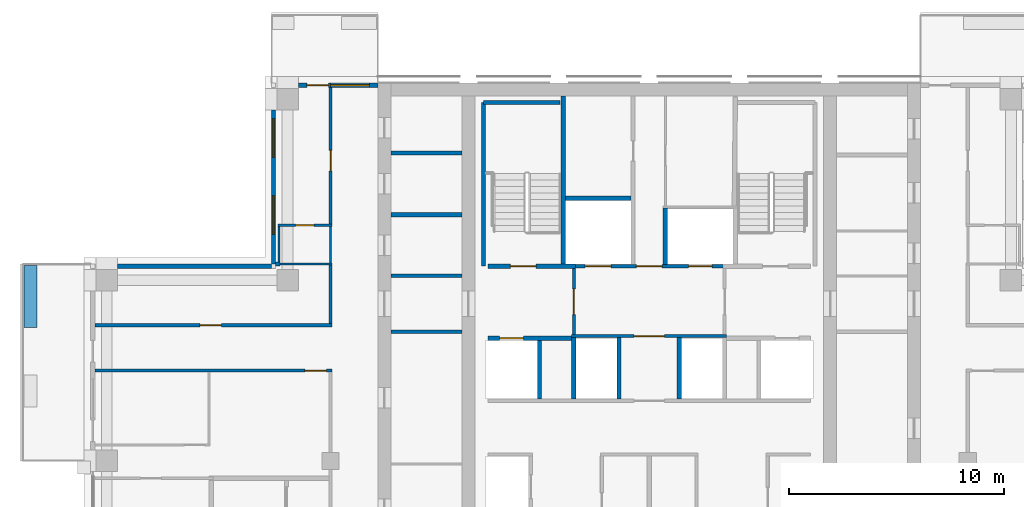
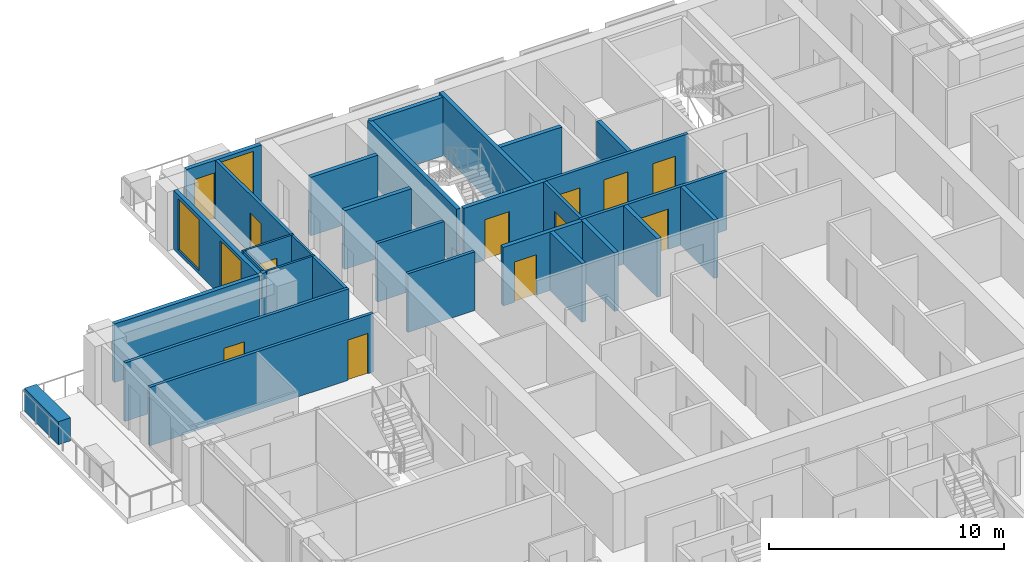
# One storey, part 10 of 15: 31 walls, 12 doors, 3 windows, 15 openings.
"""IFC4 building model written with IfcOpenShell, lengths in metres."""

from ifc_helpers import new_model, si_unit, direction, frame, frame_2d, origin, place, context, subcontext, project, spatial, rectangle, extrude, material, layer, layer_set, type_object, element, fill, save


model = new_model("IFC4")

# Units and contexts
model_context = context("Model", 3, precision=1e-05, world=origin(), true_north=direction((0.0, 1.0)))
body_context = subcontext(model_context, "Body", "Model", "MODEL_VIEW")
ifc_project = project(units=[si_unit("LENGTHUNIT", "METRE"), si_unit("AREAUNIT", "SQUARE_METRE"), si_unit("VOLUMEUNIT", "CUBIC_METRE"), si_unit("PLANEANGLEUNIT", "RADIAN"), si_unit("MASSUNIT", "GRAM", prefix="KILO")], contexts=[model_context])

# Site, building, storey
site_placement = place(None, origin())
site = spatial("IfcSite", under=ifc_project, at=site_placement, CompositionType="ELEMENT")
building_placement = place(site_placement, origin())
building = spatial("IfcBuilding", under=site, at=building_placement, Name="Vermilion Ogive Tower", CompositionType="ELEMENT")
storey_placement = place(building_placement, frame((0.0, 0.0, 210.050048828125)))
storey = spatial("IfcBuildingStorey", under=building, at=storey_placement, Name="L55", CompositionType="ELEMENT", Elevation=210.050048828125)

# Wall
ifc_material_1 = material(Name="Gypsum board partition on steel studs", Category="steel")
ifc_layer_1 = layer(ifc_material_1, 0.10009765625)
ifc_layer_set_1 = layer_set([ifc_layer_1], Name="Partition 100 bath")
wall_type_1 = type_object("IfcWallType", Name="Partition 100 bath", PredefinedType="PARTITIONING", material=ifc_layer_set_1)
wall_1_placement = place(storey_placement, frame((-17.25, 13.35009765625, 0.0), z_axis=(0.0, 0.0, 1.0), x_axis=(1.0, 0.0, 0.0)))
element("IfcWall", 1, at=wall_1_placement, inside=storey, type_object=wall_type_1, Name="L55-W-W034", PredefinedType="PARTITIONING", context=body_context, shape_type="SweptSolid", body=[
    extrude(rectangle(XDim=2.52490234375, YDim=0.10009765625, at=frame_2d((1.262451171875, 0.0))), origin(), (0.0, 0.0, 1.0), 3.050048828125),
])

# Wall, opening, door
wall_2_placement = place(storey_placement, frame((-17.25, 15.14990234375, 0.0), z_axis=(0.0, 0.0, 1.0), x_axis=(1.0, 0.0, 0.0)))
wall_2 = element("IfcWall", 2, at=wall_2_placement, inside=storey, type_object=wall_type_1, Name="L55-W-W037", PredefinedType="PARTITIONING", context=body_context, shape_type="SweptSolid", body=[
    extrude(rectangle(XDim=2.52490234375, YDim=0.10009765625, at=frame_2d((1.262451171875, 0.0))), origin(), (0.0, 0.0, 1.0), 3.050048828125),
])
opening_1_placement = place(wall_2_placement, frame((0.824951171875, 0.0, 0.0)))
opening_1 = element("IfcOpeningElement", 3, at=opening_1_placement, cuts=wall_2, Name="Opening D4G5008", PredefinedType="OPENING", context=body_context, shape_type="SweptSolid", body=[
    extrude(rectangle(XDim=0.85009765625, YDim=2.10009765625, at=frame_2d((0.425048828125, 1.050048828125))), frame((0.0, 0.06005859375, 0.0), z_axis=(0.0, -1.0, 0.0), x_axis=(1.0, 0.0, 0.0)), (0.0, 0.0, 1.0), 0.1201171875),
])
ifc_material_2 = material(Name="Timber door leaf", Category="wood")
door_type_1 = type_object("IfcDoorType", Name="Bath door 850 x 2100 FD30", OperationType="SINGLE_SWING_LEFT", PredefinedType="DOOR", material=ifc_material_2)
door_1_placement = place(opening_1_placement, origin())
door_1 = element("IfcDoor", 4, at=door_1_placement, inside=storey, type_object=door_type_1, Name="L55-D-D008", OperationType="SINGLE_SWING_RIGHT", OverallHeight=2.10009765625, OverallWidth=0.85009765625, PredefinedType="DOOR", context=body_context, shape_type="SweptSolid", body=[
    extrude(rectangle(XDim=0.85009765625, YDim=2.10009765625, at=frame_2d((0.425048828125, 1.050048828125))), frame((0.0, 0.02490234375, 0.0), z_axis=(0.0, -1.0, 0.0), x_axis=(1.0, 0.0, 0.0)), (0.0, 0.0, 1.0), 0.050048828125),
])
fill(opening_1, door_1)

# Walls
wall_3_placement = place(storey_placement, frame((-17.199951171875, 13.449951171875, 0.0), z_axis=(0.0, 0.0, 1.0), x_axis=(0.0, 1.0, 0.0)))
element("IfcWall", 5, at=wall_3_placement, inside=storey, type_object=wall_type_1, Name="L55-W-W043", PredefinedType="PARTITIONING", context=body_context, shape_type="SweptSolid", body=[
    extrude(rectangle(XDim=1.650146484375, YDim=0.10009765625, at=frame_2d((0.8251953125, 0.0))), origin(), (0.0, 0.0, 1.0), 3.050048828125),
])
wall_4_placement = place(storey_placement, frame((-14.800048828125, 13.39990234375, 0.0), z_axis=(0.0, 0.0, 1.0), x_axis=(0.0, 1.0, 0.0)))
element("IfcWall", 6, at=wall_4_placement, inside=storey, type_object=wall_type_1, Name="L55-W-W048", PredefinedType="PARTITIONING", context=body_context, shape_type="SweptSolid", body=[
    extrude(rectangle(XDim=1.7001953125, YDim=0.10009765625, at=frame_2d((0.85009765625, 0.0))), origin(), (0.0, 0.0, 1.0), 3.050048828125),
])

# Wall, opening, door
ifc_material_3 = material(Name="Gypsum board partition on steel studs", Category="steel")
ifc_layer_2 = layer(ifc_material_3, 0.14990234375)
ifc_layer_set_2 = layer_set([ifc_layer_2], Name="Partition 150 corridor")
wall_type_2 = type_object("IfcWallType", Name="Partition 150 corridor", PredefinedType="PARTITIONING", material=ifc_layer_set_2)
wall_5_placement = place(storey_placement, frame((-25.75, 8.39990234375, 0.0), z_axis=(0.0, 0.0, 1.0), x_axis=(1.0, 0.0, 0.0)))
wall_5 = element("IfcWall", 7, at=wall_5_placement, inside=storey, type_object=wall_type_2, Name="L55-W-W029", PredefinedType="PARTITIONING", context=body_context, shape_type="SweptSolid", body=[
    extrude(rectangle(XDim=11.02490234375, YDim=0.14990234375, at=frame_2d((5.512451171875, 0.0))), origin(), (0.0, 0.0, 1.0), 3.050048828125),
])
opening_2_placement = place(wall_5_placement, frame((9.75, 0.0, 0.0)))
opening_2 = element("IfcOpeningElement", 8, at=opening_2_placement, cuts=wall_5, Name="Opening D4G5004", PredefinedType="OPENING", context=body_context, shape_type="SweptSolid", body=[
    extrude(rectangle(XDim=1.0, YDim=2.10009765625, at=frame_2d((0.5, 1.050048828125))), frame((0.0, 0.0849609375, 0.0), z_axis=(0.0, -1.0, 0.0), x_axis=(1.0, 0.0, 0.0)), (0.0, 0.0, 1.0), 0.169921875),
])
ifc_material_4 = material(Name="Timber door leaf", Category="wood")
door_type_2 = type_object("IfcDoorType", Name="Unit door 1000 x 2100 FD30S", OperationType="SINGLE_SWING_LEFT", PredefinedType="DOOR", material=ifc_material_4)
door_2_placement = place(opening_2_placement, origin())
door_2 = element("IfcDoor", 9, at=door_2_placement, inside=storey, type_object=door_type_2, Name="L55-D-D004", OperationType="SINGLE_SWING_RIGHT", OverallHeight=2.10009765625, OverallWidth=1.0, PredefinedType="DOOR", context=body_context, shape_type="SweptSolid", body=[
    extrude(rectangle(XDim=1.0, YDim=2.10009765625, at=frame_2d((0.5, 1.050048828125))), frame((0.0, 0.02490234375, 0.0), z_axis=(0.0, -1.0, 0.0), x_axis=(1.0, 0.0, 0.0)), (0.0, 0.0, 1.0), 0.050048828125),
])
fill(opening_2, door_2)

wall_6_placement = place(storey_placement, frame((-25.75, 10.5, 0.0), z_axis=(0.0, 0.0, 1.0), x_axis=(1.0, 0.0, 0.0)))
wall_6 = element("IfcWall", 10, at=wall_6_placement, inside=storey, type_object=wall_type_2, Name="L55-W-W031", PredefinedType="PARTITIONING", context=body_context, shape_type="SweptSolid", body=[
    extrude(rectangle(XDim=11.02490234375, YDim=0.14990234375, at=frame_2d((5.512451171875, 0.0))), origin(), (0.0, 0.0, 1.0), 3.050048828125),
])
opening_3_placement = place(wall_6_placement, frame((4.875, 0.0, 0.0)))
opening_3 = element("IfcOpeningElement", 11, at=opening_3_placement, cuts=wall_6, Name="Opening D4G5034", PredefinedType="OPENING", context=body_context, shape_type="SweptSolid", body=[
    extrude(rectangle(XDim=1.0, YDim=2.10009765625, at=frame_2d((0.5, 1.050048828125))), frame((0.0, 0.0849609375, 0.0), z_axis=(0.0, -1.0, 0.0), x_axis=(1.0, 0.0, 0.0)), (0.0, 0.0, 1.0), 0.169921875),
])
door_3_placement = place(opening_3_placement, origin())
door_3 = element("IfcDoor", 12, at=door_3_placement, inside=storey, type_object=door_type_2, Name="L55-D-D034", OperationType="SINGLE_SWING_RIGHT", OverallHeight=2.10009765625, OverallWidth=1.0, PredefinedType="DOOR", context=body_context, shape_type="SweptSolid", body=[
    extrude(rectangle(XDim=1.0, YDim=2.10009765625, at=frame_2d((0.5, 1.050048828125))), frame((0.0, 0.02490234375, 0.0), z_axis=(0.0, -1.0, 0.0), x_axis=(1.0, 0.0, 0.0)), (0.0, 0.0, 1.0), 0.050048828125),
])
fill(opening_3, door_3)

# Wall
wall_7_placement = place(storey_placement, frame((-14.800048828125, 10.574951171875, 0.0), z_axis=(0.0, 0.0, 1.0), x_axis=(0.0, 1.0, 0.0)))
element("IfcWall", 13, at=wall_7_placement, inside=storey, type_object=wall_type_2, Name="L55-W-W047", PredefinedType="PARTITIONING", context=body_context, shape_type="SweptSolid", body=[
    extrude(rectangle(XDim=2.72509765625, YDim=0.14990234375, at=frame_2d((1.362548828125, 0.0))), origin(), (0.0, 0.0, 1.0), 3.050048828125),
])

# Wall, opening, door
wall_8_placement = place(storey_placement, frame((-14.800048828125, 15.199951171875, 0.0), z_axis=(0.0, 0.0, 1.0), x_axis=(0.0, 1.0, 0.0)))
wall_8 = element("IfcWall", 14, at=wall_8_placement, inside=storey, type_object=wall_type_2, Name="L55-W-W049", PredefinedType="PARTITIONING", context=body_context, shape_type="SweptSolid", body=[
    extrude(rectangle(XDim=6.35009765625, YDim=0.14990234375, at=frame_2d((3.175048828125, 0.0))), origin(), (0.0, 0.0, 1.0), 3.050048828125),
])
opening_4_placement = place(wall_8_placement, frame((2.47509765625, 0.0, 0.0)))
opening_4 = element("IfcOpeningElement", 15, at=opening_4_placement, cuts=wall_8, Name="Opening D4G5007", PredefinedType="OPENING", context=body_context, shape_type="SweptSolid", body=[
    extrude(rectangle(XDim=0.949951171875, YDim=2.10009765625, at=frame_2d((0.47509765625, 1.050048828125))), frame((0.0, 0.0849609375, 0.0), z_axis=(0.0, -1.0, 0.0), x_axis=(1.0, 0.0, 0.0)), (0.0, 0.0, 1.0), 0.169921875),
])
ifc_material_5 = material(Name="Timber door leaf", Category="wood")
door_type_3 = type_object("IfcDoorType", Name="Unit door 950 x 2100 FD30S", OperationType="SINGLE_SWING_LEFT", PredefinedType="DOOR", material=ifc_material_5)
door_4_placement = place(opening_4_placement, origin())
door_4 = element("IfcDoor", 16, at=door_4_placement, inside=storey, type_object=door_type_3, Name="L55-D-D007", OperationType="SINGLE_SWING_RIGHT", OverallHeight=2.10009765625, OverallWidth=0.949951171875, PredefinedType="DOOR", context=body_context, shape_type="SweptSolid", body=[
    extrude(rectangle(XDim=0.949951171875, YDim=2.10009765625, at=frame_2d((0.47509765625, 1.050048828125))), frame((0.0, 0.02490234375, 0.0), z_axis=(0.0, -1.0, 0.0), x_axis=(1.0, 0.0, 0.0)), (0.0, 0.0, 1.0), 0.050048828125),
])
fill(opening_4, door_4)

wall_9_placement = place(storey_placement, frame((-3.60009765625, 10.0, 0.0), z_axis=(0.0, 0.0, 1.0), x_axis=(1.0, 0.0, 0.0)))
wall_9 = element("IfcWall", 17, at=wall_9_placement, inside=storey, type_object=wall_type_2, Name="L55-CK-W-W014", PredefinedType="PARTITIONING", context=body_context, shape_type="SweptSolid", body=[
    extrude(rectangle(XDim=7.2001953125, YDim=0.14990234375, at=frame_2d((3.60009765625, 0.0))), origin(), (0.0, 0.0, 1.0), 3.050048828125),
])
opening_5_placement = place(wall_9_placement, frame((2.900146484375, 0.0, 0.0)))
opening_5 = element("IfcOpeningElement", 18, at=opening_5_placement, cuts=wall_9, Name="Opening DAA493", PredefinedType="OPENING", context=body_context, shape_type="SweptSolid", body=[
    extrude(rectangle(XDim=1.39990234375, YDim=2.10009765625, at=frame_2d((0.699951171875, 1.050048828125))), frame((0.0, 0.0849609375, 0.0), z_axis=(0.0, -1.0, 0.0), x_axis=(1.0, 0.0, 0.0)), (0.0, 0.0, 1.0), 0.169921875),
])
ifc_material_6 = material(Name="Timber door leaf", Category="wood")
door_type_4 = type_object("IfcDoorType", Name="Lobby door 1400 x 2100 FD60S", OperationType="SINGLE_SWING_LEFT", PredefinedType="DOOR", material=ifc_material_6)
door_5_placement = place(opening_5_placement, origin())
door_5 = element("IfcDoor", 19, at=door_5_placement, inside=storey, type_object=door_type_4, Name="L55-CK-D-D017", OperationType="SINGLE_SWING_RIGHT", OverallHeight=2.10009765625, OverallWidth=1.39990234375, PredefinedType="DOOR", context=body_context, shape_type="SweptSolid", body=[
    extrude(rectangle(XDim=1.39990234375, YDim=2.10009765625, at=frame_2d((0.699951171875, 1.050048828125))), frame((0.0, 0.02490234375, 0.0), z_axis=(0.0, -1.0, 0.0), x_axis=(1.0, 0.0, 0.0)), (0.0, 0.0, 1.0), 0.050048828125),
])
fill(opening_5, door_5)

# Wall, openings, doors
wall_10_placement = place(storey_placement, frame((-3.574951171875, 13.25, 0.0), z_axis=(0.0, 0.0, 1.0), x_axis=(1.0, 0.0, 0.0)))
wall_10 = element("IfcWall", 20, at=wall_10_placement, inside=storey, type_object=wall_type_2, Name="L55-CK-W-W016", PredefinedType="PARTITIONING", context=body_context, shape_type="SweptSolid", body=[
    extrude(rectangle(XDim=7.14990234375, YDim=0.14990234375, at=frame_2d((3.574951171875, 0.0))), origin(), (0.0, 0.0, 1.0), 3.050048828125),
])
opening_6_placement = place(wall_10_placement, frame((0.599853515625, 0.0, 0.0)))
opening_6 = element("IfcOpeningElement", 21, at=opening_6_placement, cuts=wall_10, Name="Opening DAA513", PredefinedType="OPENING", context=body_context, shape_type="SweptSolid", body=[
    extrude(rectangle(XDim=1.199951171875, YDim=2.10009765625, at=frame_2d((0.60009765625, 1.050048828125))), frame((0.0, 0.0849609375, 0.0), z_axis=(0.0, -1.0, 0.0), x_axis=(1.0, 0.0, 0.0)), (0.0, 0.0, 1.0), 0.169921875),
])
opening_7_placement = place(wall_10_placement, frame((5.39990234375, 0.0, 0.0)))
opening_7 = element("IfcOpeningElement", 22, at=opening_7_placement, cuts=wall_10, Name="Opening DAA512", PredefinedType="OPENING", context=body_context, shape_type="SweptSolid", body=[
    extrude(rectangle(XDim=1.10009765625, YDim=2.10009765625, at=frame_2d((0.550048828125, 1.050048828125))), frame((0.0, 0.0849609375, 0.0), z_axis=(0.0, -1.0, 0.0), x_axis=(1.0, 0.0, 0.0)), (0.0, 0.0, 1.0), 0.169921875),
])
opening_8_placement = place(wall_10_placement, frame((2.974853515625, 0.0, 0.0)))
opening_8 = element("IfcOpeningElement", 23, at=opening_8_placement, cuts=wall_10, Name="Opening DAA494", PredefinedType="OPENING", context=body_context, shape_type="SweptSolid", body=[
    extrude(rectangle(XDim=1.199951171875, YDim=2.10009765625, at=frame_2d((0.60009765625, 1.050048828125))), frame((0.0, 0.0849609375, 0.0), z_axis=(0.0, -1.0, 0.0), x_axis=(1.0, 0.0, 0.0)), (0.0, 0.0, 1.0), 0.169921875),
])
ifc_material_7 = material(Name="Stainless steel", Category="steel")
door_type_5 = type_object("IfcDoorType", Name="Lift landing door 1100 x 2100", OperationType="SLIDING_TO_LEFT", PredefinedType="DOOR", material=ifc_material_7)
door_6_placement = place(opening_7_placement, origin())
door_6 = element("IfcDoor", 24, at=door_6_placement, inside=storey, type_object=door_type_5, Name="L55-CK-D-D019", OperationType="SLIDING_TO_LEFT", OverallHeight=2.10009765625, OverallWidth=1.10009765625, PredefinedType="DOOR", context=body_context, shape_type="SweptSolid", body=[
    extrude(rectangle(XDim=1.10009765625, YDim=2.10009765625, at=frame_2d((0.550048828125, 1.050048828125))), frame((0.0, 0.02490234375, 0.0), z_axis=(0.0, -1.0, 0.0), x_axis=(1.0, 0.0, 0.0)), (0.0, 0.0, 1.0), 0.050048828125),
])
fill(opening_7, door_6)
ifc_material_8 = material(Name="Stainless steel", Category="steel")
door_type_6 = type_object("IfcDoorType", Name="Lift landing door 1200 x 2100", OperationType="SLIDING_TO_LEFT", PredefinedType="DOOR", material=ifc_material_8)
door_7_placement = place(opening_6_placement, origin())
door_7 = element("IfcDoor", 25, at=door_7_placement, inside=storey, type_object=door_type_6, Name="L55-CK-D-D018", OperationType="SLIDING_TO_RIGHT", OverallHeight=2.10009765625, OverallWidth=1.199951171875, PredefinedType="DOOR", context=body_context, shape_type="SweptSolid", body=[
    extrude(rectangle(XDim=1.199951171875, YDim=2.10009765625, at=frame_2d((0.60009765625, 1.050048828125))), frame((0.0, 0.02490234375, 0.0), z_axis=(0.0, -1.0, 0.0), x_axis=(1.0, 0.0, 0.0)), (0.0, 0.0, 1.0), 0.050048828125),
])
fill(opening_6, door_7)
ifc_material_9 = material(Name="Timber door leaf", Category="wood")
door_type_7 = type_object("IfcDoorType", Name="Service door 1200 x 2100 FD60", OperationType="SINGLE_SWING_LEFT", PredefinedType="DOOR", material=ifc_material_9)
door_8_placement = place(opening_8_placement, origin())
door_8 = element("IfcDoor", 26, at=door_8_placement, inside=storey, type_object=door_type_7, Name="L55-CK-D-D020", OperationType="SINGLE_SWING_RIGHT", OverallHeight=2.10009765625, OverallWidth=1.199951171875, PredefinedType="DOOR", context=body_context, shape_type="SweptSolid", body=[
    extrude(rectangle(XDim=1.199951171875, YDim=2.10009765625, at=frame_2d((0.60009765625, 1.050048828125))), frame((0.0, 0.02490234375, 0.0), z_axis=(0.0, -1.0, 0.0), x_axis=(1.0, 0.0, 0.0)), (0.0, 0.0, 1.0), 0.050048828125),
])
fill(opening_8, door_8)

# Wall, opening, door
wall_11_placement = place(storey_placement, frame((-3.5, 10.074951171875, 0.0), z_axis=(0.0, 0.0, 1.0), x_axis=(0.0, 1.0, 0.0)))
wall_11 = element("IfcWall", 27, at=wall_11_placement, inside=storey, type_object=wall_type_2, Name="L55-CK-W-W024", PredefinedType="PARTITIONING", context=body_context, shape_type="SweptSolid", body=[
    extrude(rectangle(XDim=3.074951171875, YDim=0.14990234375, at=frame_2d((1.53759765625, 0.0))), origin(), (0.0, 0.0, 1.0), 3.050048828125),
])
opening_9_placement = place(wall_11_placement, frame((0.925048828125, 0.0, 0.0)))
opening_9 = element("IfcOpeningElement", 28, at=opening_9_placement, cuts=wall_11, Name="Opening DAA490", PredefinedType="OPENING", context=body_context, shape_type="SweptSolid", body=[
    extrude(rectangle(XDim=1.199951171875, YDim=2.10009765625, at=frame_2d((0.60009765625, 1.050048828125))), frame((0.0, 0.0849609375, 0.0), z_axis=(0.0, -1.0, 0.0), x_axis=(1.0, 0.0, 0.0)), (0.0, 0.0, 1.0), 0.169921875),
])
ifc_material_10 = material(Name="Timber door leaf", Category="wood")
door_type_8 = type_object("IfcDoorType", Name="Lobby door 1200 x 2100 FD60S", OperationType="SINGLE_SWING_LEFT", PredefinedType="DOOR", material=ifc_material_10)
door_9_placement = place(opening_9_placement, origin())
door_9 = element("IfcDoor", 29, at=door_9_placement, inside=storey, type_object=door_type_8, Name="L55-CK-D-D023", OperationType="SINGLE_SWING_RIGHT", OverallHeight=2.10009765625, OverallWidth=1.199951171875, PredefinedType="DOOR", context=body_context, shape_type="SweptSolid", body=[
    extrude(rectangle(XDim=1.199951171875, YDim=2.10009765625, at=frame_2d((0.60009765625, 1.050048828125))), frame((0.0, 0.02490234375, 0.0), z_axis=(0.0, -1.0, 0.0), x_axis=(1.0, 0.0, 0.0)), (0.0, 0.0, 1.0), 0.050048828125),
])
fill(opening_9, door_9)

# Walls
for number, where, z_axis, x_axis, name in (
    (30, (-11.9990234375, 10.199951171875, 0.0), (0.0, 0.0, 1.0), (1.0, 0.0, 0.0), "L55-CKW-W-W003"),
    (31, (-11.9990234375, 12.800048828125, 0.0), (0.0, 0.0, 1.0), (1.0, 0.0, 0.0), "L55-CKW-W-W004"),
):
    element("IfcWall", number, at=place(storey_placement, frame(where, z_axis=z_axis, x_axis=x_axis)), inside=storey, type_object=wall_type_2, Name=name, PredefinedType="PARTITIONING", context=body_context, shape_type="SweptSolid", body=[
        extrude(rectangle(XDim=3.298095703125, YDim=0.14990234375, at=frame_2d((1.64892578125, 0.0))), origin(), (0.0, 0.0, 1.0), 3.050048828125),
    ])
ifc_material_11 = material(Name="Gypsum board partition on steel studs", Category="steel")
ifc_layer_3 = layer(ifc_material_11, 0.199951171875)
ifc_layer_set_3 = layer_set([ifc_layer_3], Name="Partition 200 party")
wall_type_3 = type_object("IfcWallType", Name="Partition 200 party", PredefinedType="PARTITIONING", material=ifc_layer_set_3)
wall_12_placement = place(storey_placement, frame((-17.35009765625, 13.35009765625, 0.0), z_axis=(0.0, 0.0, 1.0), x_axis=(1.0, 0.0, 0.0)))
element("IfcWall", 32, at=wall_12_placement, inside=storey, type_object=wall_type_3, Name="L55-W-W033", PredefinedType="PARTITIONING", context=body_context, shape_type="SweptSolid", body=[
    extrude(rectangle(XDim=0.2001953125, YDim=0.199951171875, at=frame_2d((0.10009765625, 0.0))), origin(), (0.0, 0.0, 1.0), 3.050048828125),
])

# Wall, opening, door
wall_13_placement = place(storey_placement, frame((-7.5, 9.89990234375, 0.0), z_axis=(0.0, 0.0, 1.0), x_axis=(1.0, 0.0, 0.0)))
wall_13 = element("IfcWall", 33, at=wall_13_placement, inside=storey, type_object=wall_type_3, Name="L55-CK-W-W012", PredefinedType="PARTITIONING", context=body_context, shape_type="SweptSolid", body=[
    extrude(rectangle(XDim=3.89990234375, YDim=0.199951171875, at=frame_2d((1.949951171875, 0.0))), origin(), (0.0, 0.0, 1.0), 3.050048828125),
])
opening_10_placement = place(wall_13_placement, frame((0.550048828125, 0.0, 0.0)))
opening_10 = element("IfcOpeningElement", 34, at=opening_10_placement, cuts=wall_13, Name="Opening DAA510", PredefinedType="OPENING", context=body_context, shape_type="SweptSolid", body=[
    extrude(rectangle(XDim=1.10009765625, YDim=2.10009765625, at=frame_2d((0.550048828125, 1.050048828125))), frame((0.0, 0.10986328125, 0.0), z_axis=(0.0, -1.0, 0.0), x_axis=(1.0, 0.0, 0.0)), (0.0, 0.0, 1.0), 0.219970703125),
])
door_10_placement = place(opening_10_placement, origin())
door_10 = element("IfcDoor", 35, at=door_10_placement, inside=storey, type_object=door_type_5, Name="L55-CK-D-D013", OperationType="SLIDING_TO_RIGHT", OverallHeight=2.10009765625, OverallWidth=1.10009765625, PredefinedType="DOOR", context=body_context, shape_type="SweptSolid", body=[
    extrude(rectangle(XDim=1.10009765625, YDim=2.10009765625, at=frame_2d((0.550048828125, 1.050048828125))), frame((0.0, 0.02490234375, 0.0), z_axis=(0.0, -1.0, 0.0), x_axis=(1.0, 0.0, 0.0)), (0.0, 0.0, 1.0), 0.050048828125),
])
fill(opening_10, door_10)

# Walls
wall_14_placement = place(storey_placement, frame((-3.89990234375, 16.39990234375, 0.0), z_axis=(0.0, 0.0, 1.0), x_axis=(1.0, 0.0, 0.0)))
element("IfcWall", 36, at=wall_14_placement, inside=storey, type_object=wall_type_3, Name="L55-CK-W-W019", PredefinedType="PARTITIONING", context=body_context, shape_type="SweptSolid", body=[
    extrude(rectangle(XDim=3.0498046875, YDim=0.199951171875, at=frame_2d((1.52490234375, 0.0))), origin(), (0.0, 0.0, 1.0), 3.050048828125),
])
wall_15_placement = place(storey_placement, frame((-5.10009765625, 7.074951171875, 0.0), z_axis=(0.0, 0.0, 1.0), x_axis=(0.0, 1.0, 0.0)))
element("IfcWall", 37, at=wall_15_placement, inside=storey, type_object=wall_type_3, Name="L55-CK-W-W021", PredefinedType="PARTITIONING", context=body_context, shape_type="SweptSolid", body=[
    extrude(rectangle(XDim=2.72509765625, YDim=0.199951171875, at=frame_2d((1.362548828125, 0.0))), origin(), (0.0, 0.0, 1.0), 3.050048828125),
])
for number, where, z_axis, x_axis, name in (
    (38, (-3.5, 7.074951171875, 0.0), (0.0, 0.0, 1.0), (0.0, 1.0, 0.0), "L55-CK-W-W023"),
    (39, (-1.39990234375, 7.074951171875, 0.0), (0.0, 0.0, 1.0), (0.0, 1.0, 0.0), "L55-CK-W-W026"),
):
    element("IfcWall", number, at=place(storey_placement, frame(where, z_axis=z_axis, x_axis=x_axis)), inside=storey, type_object=wall_type_3, Name=name, PredefinedType="PARTITIONING", context=body_context, shape_type="SweptSolid", body=[
        extrude(rectangle(XDim=2.85009765625, YDim=0.199951171875, at=frame_2d((1.425048828125, 0.0))), origin(), (0.0, 0.0, 1.0), 3.050048828125),
    ])
wall_16_placement = place(storey_placement, frame((0.75, 13.324951171875, 0.0), z_axis=(0.0, 0.0, 1.0), x_axis=(0.0, 1.0, 0.0)))
element("IfcWall", 40, at=wall_16_placement, inside=storey, type_object=wall_type_3, Name="L55-CK-W-W029", PredefinedType="PARTITIONING", context=body_context, shape_type="SweptSolid", body=[
    extrude(rectangle(XDim=2.625, YDim=0.199951171875, at=frame_2d((1.3125, 0.0))), origin(), (0.0, 0.0, 1.0), 3.050048828125),
])
wall_17_placement = place(storey_placement, frame((1.39990234375, 7.074951171875, 0.0), z_axis=(0.0, 0.0, 1.0), x_axis=(0.0, 1.0, 0.0)))
element("IfcWall", 41, at=wall_17_placement, inside=storey, type_object=wall_type_3, Name="L55-CK-W-W031", PredefinedType="PARTITIONING", context=body_context, shape_type="SweptSolid", body=[
    extrude(rectangle(XDim=2.85009765625, YDim=0.199951171875, at=frame_2d((1.425048828125, 0.0))), origin(), (0.0, 0.0, 1.0), 3.050048828125),
])
for number, where, z_axis, x_axis, name in (
    (42, (-11.9990234375, 15.636962890625, 0.0), (0.0, 0.0, 1.0), (1.0, 0.0, 0.0), "L55-CKW-W-W005"),
    (43, (-11.9990234375, 18.509033203125, 0.0), (0.0, 0.0, 1.0), (1.0, 0.0, 0.0), "L55-CKW-W-W006"),
):
    element("IfcWall", number, at=place(storey_placement, frame(where, z_axis=z_axis, x_axis=x_axis)), inside=storey, type_object=wall_type_3, Name=name, PredefinedType="PARTITIONING", context=body_context, shape_type="SweptSolid", body=[
        extrude(rectangle(XDim=3.298095703125, YDim=0.199951171875, at=frame_2d((1.64892578125, 0.0))), origin(), (0.0, 0.0, 1.0), 3.050048828125),
    ])

# Wall, opening, door
ifc_material_12 = material(Name="Concrete B60", Category="concrete")
ifc_layer_4 = layer(ifc_material_12, 0.199951171875)
ifc_layer_set_4 = layer_set([ifc_layer_4], Name="Stair shaft wall 200 Concrete B60")
wall_type_4 = type_object("IfcWallType", Name="Stair shaft wall 200 Concrete B60", PredefinedType="SOLIDWALL", material=ifc_layer_set_4)
wall_18_placement = place(storey_placement, frame((-7.5, 13.25, 0.0), z_axis=(0.0, 0.0, 1.0), x_axis=(1.0, 0.0, 0.0)))
wall_18 = element("IfcWall", 44, at=wall_18_placement, inside=storey, type_object=wall_type_4, Name="L55-CK-W-W015", PredefinedType="SOLIDWALL", context=body_context, shape_type="SweptSolid", body=[
    extrude(rectangle(XDim=4.074951171875, YDim=0.199951171875, at=frame_2d((2.03759765625, 0.0))), origin(), (0.0, 0.0, 1.0), 3.050048828125),
])
opening_11_placement = place(wall_18_placement, frame((1.050048828125, 0.0, 0.0)))
opening_11 = element("IfcOpeningElement", 45, at=opening_11_placement, cuts=wall_18, Name="Opening DAA503", PredefinedType="OPENING", context=body_context, shape_type="SweptSolid", body=[
    extrude(rectangle(XDim=1.199951171875, YDim=2.10009765625, at=frame_2d((0.60009765625, 1.050048828125))), frame((0.0, 0.10986328125, 0.0), z_axis=(0.0, -1.0, 0.0), x_axis=(1.0, 0.0, 0.0)), (0.0, 0.0, 1.0), 0.219970703125),
])
ifc_material_13 = material(Name="Timber door leaf", Category="wood")
door_type_9 = type_object("IfcDoorType", Name="Stair door 1200 x 2100 FD60S", OperationType="SINGLE_SWING_LEFT", PredefinedType="DOOR", material=ifc_material_13)
door_11_placement = place(opening_11_placement, origin())
door_11 = element("IfcDoor", 46, at=door_11_placement, inside=storey, type_object=door_type_9, Name="L55-CK-D-D012", OperationType="SINGLE_SWING_LEFT", OverallHeight=2.10009765625, OverallWidth=1.199951171875, PredefinedType="DOOR", context=body_context, shape_type="SweptSolid", body=[
    extrude(rectangle(XDim=1.199951171875, YDim=2.10009765625, at=frame_2d((0.60009765625, 1.050048828125))), frame((0.0, 0.02490234375, 0.0), z_axis=(0.0, -1.0, 0.0), x_axis=(1.0, 0.0, 0.0)), (0.0, 0.0, 1.0), 0.050048828125),
])
fill(opening_11, door_11)

# Walls
wall_19_placement = place(storey_placement, frame((-4.0, 13.35009765625, 0.0), z_axis=(0.0, 0.0, 1.0), x_axis=(0.0, 1.0, 0.0)))
element("IfcWall", 47, at=wall_19_placement, inside=storey, type_object=wall_type_4, Name="L55-CK-W-W022", PredefinedType="SOLIDWALL", context=body_context, shape_type="SweptSolid", body=[
    extrude(rectangle(XDim=7.798828125, YDim=0.199951171875, at=frame_2d((3.8994140625, 0.0))), origin(), (0.0, 0.0, 1.0), 3.050048828125),
])
wall_20_placement = place(storey_placement, frame((-7.699951171875, 13.25, 0.0), z_axis=(0.0, 0.0, 1.0), x_axis=(0.0, 1.0, 0.0)))
element("IfcWall", 48, at=wall_20_placement, inside=storey, type_object=wall_type_4, Name="L55-SW-R017-W1", PredefinedType="SOLIDWALL", context=body_context, shape_type="SweptSolid", body=[
    extrude(rectangle(XDim=7.60009765625, YDim=0.199951171875, at=frame_2d((3.800048828125, 0.0))), origin(), (0.0, 0.0, 1.0), 3.050048828125),
])
wall_21_placement = place(storey_placement, frame((-7.699951171875, 20.85009765625, 0.0), z_axis=(0.0, 0.0, 1.0), x_axis=(1.0, 0.0, 0.0)))
element("IfcWall", 49, at=wall_21_placement, inside=storey, type_object=wall_type_4, Name="L55-SW-R017-N1", PredefinedType="SOLIDWALL", context=body_context, shape_type="SweptSolid", body=[
    extrude(rectangle(XDim=3.550048828125, YDim=0.199951171875, at=frame_2d((1.77490234375, 0.0))), origin(), (0.0, 0.0, 1.0), 3.050048828125),
])
ifc_material_14 = material(Name="Concrete B40", Category="concrete")
ifc_layer_5 = layer(ifc_material_14, 0.60009765625)
ifc_layer_set_5 = layer_set([ifc_layer_5], Name="Structural planter")
wall_type_5 = type_object("IfcWallType", Name="Structural planter", PredefinedType="USERDEFINED", material=ifc_layer_set_5)
wall_22_placement = place(storey_placement, frame((-28.75, 13.2900390625, -0.0400390625), z_axis=(0.0, 0.0, 1.0), x_axis=(0.0, -1.0, 0.0)))
element("IfcWall", 50, at=wall_22_placement, inside=storey, type_object=wall_type_5, Name="Planter W01A1", ObjectType="PLANTER", PredefinedType="USERDEFINED", context=body_context, shape_type="SweptSolid", body=[
    extrude(rectangle(XDim=2.89013671875, YDim=0.60009765625, at=frame_2d((1.445068359375, 0.0))), origin(), (0.0, 0.0, 1.0), 1.199951171875),
])

# Wall, openings, door, window
ifc_material_15 = material(Name="Aluminium window wall framing", Category="aluminium")
ifc_layer_6 = layer(ifc_material_15, 0.199951171875)
ifc_layer_set_6 = layer_set([ifc_layer_6], Name="Window wall")
wall_type_6 = type_object("IfcWallType", Name="Window wall", PredefinedType="STANDARD", material=ifc_layer_set_6)
wall_23_placement = place(storey_placement, frame((-12.60009765625, 21.64990234375, 0.0), z_axis=(0.0, 0.0, 1.0), x_axis=(-1.0, 0.0, 0.0)))
wall_23 = element("IfcWall", 51, at=wall_23_placement, inside=storey, type_object=wall_type_6, Name="Window wall N21", PredefinedType="STANDARD", context=body_context, shape_type="SweptSolid", body=[
    extrude(rectangle(XDim=3.699951171875, YDim=0.199951171875, at=frame_2d((1.85009765625, 0.0))), origin(), (0.0, 0.0, 1.0), 3.050048828125),
])
opening_12_placement = place(wall_23_placement, frame((0.39990234375, 0.0, 0.199951171875)))
opening_12 = element("IfcOpeningElement", 52, at=opening_12_placement, cuts=wall_23, Name="Opening W1-N296", PredefinedType="OPENING", context=body_context, shape_type="SweptSolid", body=[
    extrude(rectangle(XDim=1.800048828125, YDim=2.64990234375, at=frame_2d((0.89990234375, 1.324951171875))), frame((0.0, 0.10986328125, 0.0), z_axis=(0.0, -1.0, 0.0), x_axis=(1.0, 0.0, 0.0)), (0.0, 0.0, 1.0), 0.219970703125),
])
opening_13_placement = place(wall_23_placement, frame((2.300048828125, 0.0, 0.0)))
opening_13 = element("IfcOpeningElement", 53, at=opening_13_placement, cuts=wall_23, Name="Opening D1-N296", PredefinedType="OPENING", context=body_context, shape_type="SweptSolid", body=[
    extrude(rectangle(XDim=1.0, YDim=2.39990234375, at=frame_2d((0.5, 1.199951171875))), frame((0.0, 0.10986328125, 0.0), z_axis=(0.0, -1.0, 0.0), x_axis=(1.0, 0.0, 0.0)), (0.0, 0.0, 1.0), 0.219970703125),
])
ifc_material_16 = material(Name="Aluminium framed glazed door", Category="aluminium")
door_type_10 = type_object("IfcDoorType", Name="Balcony door D1", OperationType="SINGLE_SWING_LEFT", PredefinedType="DOOR", material=ifc_material_16)
door_12_placement = place(opening_13_placement, origin())
door_12 = element("IfcDoor", 54, at=door_12_placement, inside=storey, type_object=door_type_10, Name="Balcony door N296", OperationType="SINGLE_SWING_LEFT", OverallHeight=2.39990234375, OverallWidth=1.0, PredefinedType="DOOR", context=body_context, shape_type="SweptSolid", body=[
    extrude(rectangle(XDim=1.0, YDim=2.39990234375, at=frame_2d((0.5, 1.199951171875))), frame((0.0, 0.02490234375, 0.0), z_axis=(0.0, -1.0, 0.0), x_axis=(1.0, 0.0, 0.0)), (0.0, 0.0, 1.0), 0.050048828125),
])
fill(opening_13, door_12)
ifc_material_17 = material(Name="Aluminium framed double glazing", Category="aluminium")
window_type = type_object("IfcWindowType", Name="Guest window W1", PartitioningType="SINGLE_PANEL", PredefinedType="WINDOW", material=ifc_material_17)
window_1_placement = place(opening_12_placement, origin())
window_1 = element("IfcWindow", 55, at=window_1_placement, inside=storey, type_object=window_type, Name="Window N296", OverallHeight=2.64990234375, OverallWidth=1.800048828125, PartitioningType="SINGLE_PANEL", PredefinedType="WINDOW", context=body_context, shape_type="SweptSolid", body=[
    extrude(rectangle(XDim=1.800048828125, YDim=2.64990234375, at=frame_2d((0.89990234375, 1.324951171875))), frame((0.0, 0.030029296875, 0.0), z_axis=(0.0, -1.0, 0.0), x_axis=(1.0, 0.0, 0.0)), (0.0, 0.0, 1.0), 0.06005859375),
])
fill(opening_12, window_1)

# Wall, openings, windows
wall_24_placement = place(storey_placement, frame((-17.449951171875, 20.5, 0.0), z_axis=(0.0, 0.0, 1.0), x_axis=(0.0, -1.0, 0.0)))
wall_24 = element("IfcWall", 56, at=wall_24_placement, inside=storey, type_object=wall_type_6, Name="Window wall X51", PredefinedType="STANDARD", context=body_context, shape_type="SweptSolid", body=[
    extrude(rectangle(XDim=7.14990234375, YDim=0.199951171875, at=frame_2d((3.574951171875, 0.0))), origin(), (0.0, 0.0, 1.0), 3.050048828125),
])
opening_14_placement = place(wall_24_placement, frame((3.97509765625, 0.0, 0.199951171875)))
opening_14 = element("IfcOpeningElement", 57, at=opening_14_placement, cuts=wall_24, Name="Opening W1-X503", PredefinedType="OPENING", context=body_context, shape_type="SweptSolid", body=[
    extrude(rectangle(XDim=1.800048828125, YDim=2.64990234375, at=frame_2d((0.89990234375, 1.324951171875))), frame((0.0, 0.10986328125, 0.0), z_axis=(0.0, -1.0, 0.0), x_axis=(1.0, 0.0, 0.0)), (0.0, 0.0, 1.0), 0.219970703125),
])
opening_15_placement = place(wall_24_placement, frame((0.39990234375, 0.0, 0.199951171875)))
opening_15 = element("IfcOpeningElement", 58, at=opening_15_placement, cuts=wall_24, Name="Opening W1-X504", PredefinedType="OPENING", context=body_context, shape_type="SweptSolid", body=[
    extrude(rectangle(XDim=1.800048828125, YDim=2.64990234375, at=frame_2d((0.89990234375, 1.324951171875))), frame((0.0, 0.10986328125, 0.0), z_axis=(0.0, -1.0, 0.0), x_axis=(1.0, 0.0, 0.0)), (0.0, 0.0, 1.0), 0.219970703125),
])
window_2_placement = place(opening_14_placement, origin())
window_2 = element("IfcWindow", 59, at=window_2_placement, inside=storey, type_object=window_type, Name="Window X503", OverallHeight=2.64990234375, OverallWidth=1.800048828125, PartitioningType="SINGLE_PANEL", PredefinedType="WINDOW", context=body_context, shape_type="SweptSolid", body=[
    extrude(rectangle(XDim=1.800048828125, YDim=2.64990234375, at=frame_2d((0.89990234375, 1.324951171875))), frame((0.0, 0.030029296875, 0.0), z_axis=(0.0, -1.0, 0.0), x_axis=(1.0, 0.0, 0.0)), (0.0, 0.0, 1.0), 0.06005859375),
])
fill(opening_14, window_2)
window_3_placement = place(opening_15_placement, origin())
window_3 = element("IfcWindow", 60, at=window_3_placement, inside=storey, type_object=window_type, Name="Window X504", OverallHeight=2.64990234375, OverallWidth=1.800048828125, PartitioningType="SINGLE_PANEL", PredefinedType="WINDOW", context=body_context, shape_type="SweptSolid", body=[
    extrude(rectangle(XDim=1.800048828125, YDim=2.64990234375, at=frame_2d((0.89990234375, 1.324951171875))), frame((0.0, 0.030029296875, 0.0), z_axis=(0.0, -1.0, 0.0), x_axis=(1.0, 0.0, 0.0)), (0.0, 0.0, 1.0), 0.06005859375),
])
fill(opening_15, window_3)

# Wall
wall_25_placement = place(storey_placement, frame((-17.550048828125, 13.25, 0.0), z_axis=(0.0, 0.0, 1.0), x_axis=(-1.0, 0.0, 0.0)))
element("IfcWall", 61, at=wall_25_placement, inside=storey, type_object=wall_type_6, Name="Window wall X61", PredefinedType="STANDARD", context=body_context, shape_type="SweptSolid", body=[
    extrude(rectangle(XDim=7.14990234375, YDim=0.199951171875, at=frame_2d((3.574951171875, 0.0))), origin(), (0.0, 0.0, 1.0), 3.050048828125),
])

save(model, "model.ifc")
